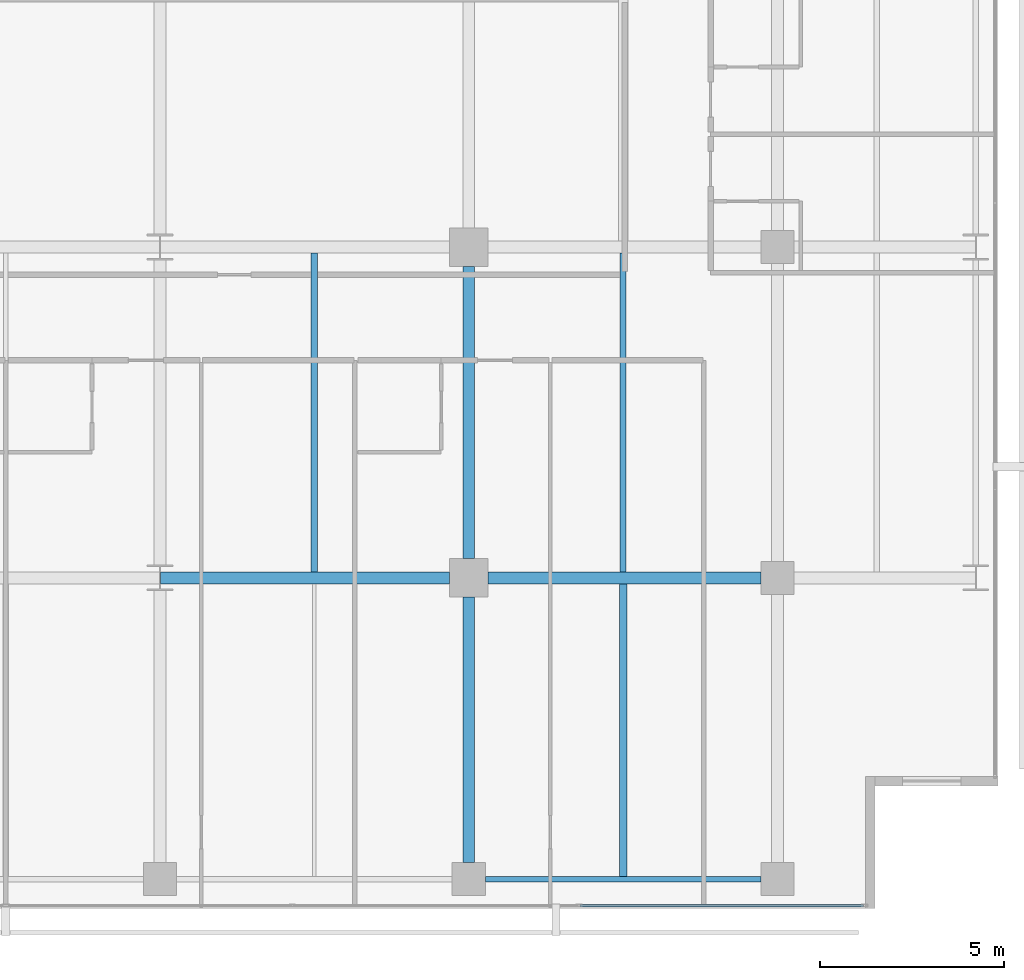
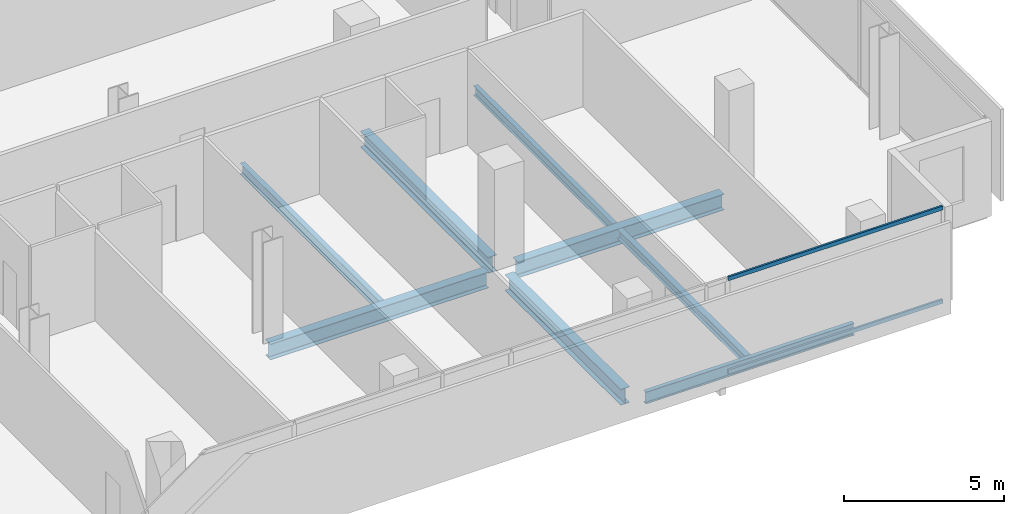
# One storey, part 15 of 40: 8 beams, 2 members, 1 element without a shape of its own.
"""IFC4 building model written with IfcOpenShell, lengths in metres."""

from ifc_helpers import new_model, si_unit, direction, frame, origin, origin_2d, place, context, subcontext, project, spatial, hollow_rectangle, i_section, extrude, material, layer, layer_set, material_profile, profile_set, type_object, element, aggregate, save


model = new_model("IFC4")

# Units and contexts
model_context = context("Model", 3, precision=1e-05, world=origin(), true_north=direction((0.0, 1.0)))
body_context = subcontext(model_context, "Body", "Model", "MODEL_VIEW")
ifc_project = project(units=[si_unit("LENGTHUNIT", "METRE"), si_unit("AREAUNIT", "SQUARE_METRE"), si_unit("VOLUMEUNIT", "CUBIC_METRE"), si_unit("PLANEANGLEUNIT", "RADIAN"), si_unit("MASSUNIT", "GRAM", prefix="KILO")], contexts=[model_context])

# Site, building, storey
site_placement = place(None, origin())
site = spatial("IfcSite", under=ifc_project, at=site_placement, CompositionType="ELEMENT")
building_placement = place(site_placement, origin())
building = spatial("IfcBuilding", under=site, at=building_placement, Name="Maruvema Waterfront Hotel and Observation Tower", CompositionType="ELEMENT")
storey_placement = place(building_placement, frame((0.0, 0.0, 103.949951171875)))
storey = spatial("IfcBuildingStorey", under=building, at=storey_placement, Name="L25", CompositionType="ELEMENT", Elevation=103.949951171875)

# Curtain wall, members
ifc_material_1 = material(Name="Anodised bronze aluminium and solar-control low-E IGU", Category="aluminium")
ifc_layer = layer(ifc_material_1, 0.159912109375, Name="Zone 1 Bronze Inner Thermal Curtain Wall System CW-02")
ifc_layer_set = layer_set([ifc_layer], Name="Anodised bronze aluminium and solar-control low-E IGU")
curtain_wall_type = type_object("IfcCurtainWallType", Name="Zone 1 Bronze Inner Thermal Curtain Wall System CW-02", PredefinedType="USERDEFINED", material=ifc_layer_set)
curtain_wall_placement = place(storey_placement, origin())
curtain_wall = element("IfcCurtainWall", 1, at=curtain_wall_placement, inside=storey, type_object=curtain_wall_type, Name="L25 Curtain Wall CW-L25-S", ObjectType="UNITISED CURTAIN WALL", PredefinedType="USERDEFINED")
ifc_material_2 = material(Name="Anodised architectural bronze aluminium", Category="aluminium")
ifc_material_profile_1 = material_profile(ifc_material_2, hollow_rectangle(XDim=0.070068359375, YDim=0.14990234375, WallThickness=0.00390625, at=origin_2d()), Name="ALU-T70x150")
ifc_profile_set_1 = profile_set([ifc_material_profile_1], Name="Anodised architectural bronze aluminium")
member_type = type_object("IfcMemberType", Name="Curtain Wall Horizontal Transom ALU-T70x150", PredefinedType="USERDEFINED", material=ifc_profile_set_1)
member_1_placement = place(storey_placement, frame((53.429931640625, 0.080078125, 0.030029296875), z_axis=(1.0, 0.0, 0.0), x_axis=(0.0, 1.0, 0.0)))
member_1 = element("IfcMember", 2, at=member_1_placement, type_object=member_type, Name="CW-02 transom 6.1", ObjectType="TRANSOM", PredefinedType="USERDEFINED", context=body_context, shape_type="SweptSolid", body=[
    extrude(hollow_rectangle(XDim=0.070068359375, YDim=0.14990234375, WallThickness=0.00390625, at=origin_2d()), origin(), (0.0, 0.0, 1.0), 7.7099609375),
])
member_2_placement = place(storey_placement, frame((53.429931640625, 0.080078125, 3.580078125), z_axis=(1.0, 0.0, 0.0), x_axis=(0.0, 1.0, 0.0)))
member_2 = element("IfcMember", 3, at=member_2_placement, type_object=member_type, Name="CW-02 transom 6.2", ObjectType="TRANSOM", PredefinedType="USERDEFINED", context=body_context, shape_type="SweptSolid", body=[
    extrude(hollow_rectangle(XDim=0.070068359375, YDim=0.14990234375, WallThickness=0.00390625, at=origin_2d()), origin(), (0.0, 0.0, 1.0), 7.7099609375),
])
aggregate(curtain_wall, [member_1, member_2])

# Beams
ifc_material_3 = material(Name="Steel ASTM A572 Grade 50", Category="steel")
ifc_material_profile_2 = material_profile(ifc_material_3, i_section(OverallWidth=0.153076171875, OverallDepth=0.455078125, WebThickness=0.008056640625, FlangeThickness=0.01318359375, FilletRadius=0.014892578125, at=origin_2d()), Name="W460x60.0")
ifc_profile_set_2 = profile_set([ifc_material_profile_2], Name="Steel ASTM A572 Grade 50")
beam_type_1 = type_object("IfcBeamType", Name="Perimeter Spandrel Beam W460x60.0", PredefinedType="SPANDREL", material=ifc_profile_set_2)
beam_1_placement = place(storey_placement, frame((50.85009765625, 0.800048828125, -0.467529296875), z_axis=(1.0, 0.0, 0.0), x_axis=(0.0, 1.0, 0.0)))
element("IfcBeam", 4, at=beam_1_placement, inside=storey, type_object=beam_type_1, Name="L25 Floor Girder EW-05", PredefinedType="SPANDREL", context=body_context, shape_type="SweptSolid", body=[
    extrude(i_section(OverallWidth=0.153076171875, OverallDepth=0.455078125, WebThickness=0.008056640625, FlangeThickness=0.01318359375, FilletRadius=0.014892578125, at=origin_2d()), origin(), (0.0, 0.0, 1.0), 7.5),
])
ifc_material_4 = material(Name="Steel ASTM A572 Grade 50", Category="steel")
ifc_material_profile_3 = material_profile(ifc_material_4, i_section(OverallWidth=0.323974609375, OverallDepth=0.611083984375, WebThickness=0.0126953125, FlangeThickness=0.01904296875, FilletRadius=0.01806640625, at=origin_2d()), Name="W610x155.0")
ifc_profile_set_3 = profile_set([ifc_material_profile_3], Name="Steel ASTM A572 Grade 50")
beam_type_2 = type_object("IfcBeamType", Name="Primary Floor Girder W610x155.0", PredefinedType="BEAM", material=ifc_profile_set_3)
beam_2_placement = place(storey_placement, frame((42.013916015625, 9.0, -0.54541015625), z_axis=(1.0, 0.0, 0.0), x_axis=(0.0, 1.0, 0.0)))
element("IfcBeam", 5, at=beam_2_placement, inside=storey, type_object=beam_type_2, Name="L25 Floor Girder EW-10", PredefinedType="BEAM", context=body_context, shape_type="SweptSolid", body=[
    extrude(i_section(OverallWidth=0.323974609375, OverallDepth=0.611083984375, WebThickness=0.0126953125, FlangeThickness=0.01904296875, FilletRadius=0.01806640625, at=origin_2d()), origin(), (0.0, 0.0, 1.0), 7.861083984375),
])
beam_3_placement = place(storey_placement, frame((50.925048828125, 9.0, -0.54541015625), z_axis=(1.0, 0.0, 0.0), x_axis=(0.0, 1.0, 0.0)))
element("IfcBeam", 6, at=beam_3_placement, inside=storey, type_object=beam_type_2, Name="L25 Floor Girder EW-11", PredefinedType="BEAM", context=body_context, shape_type="SweptSolid", body=[
    extrude(i_section(OverallWidth=0.323974609375, OverallDepth=0.611083984375, WebThickness=0.0126953125, FlangeThickness=0.01904296875, FilletRadius=0.01806640625, at=origin_2d()), origin(), (0.0, 0.0, 1.0), 7.425048828125),
])
beam_4_placement = place(storey_placement, frame((50.39990234375, 1.25, -0.54541015625), z_axis=(0.0, 1.0, 0.0), x_axis=(-1.0, 0.0, 0.0)))
element("IfcBeam", 7, at=beam_4_placement, inside=storey, type_object=beam_type_2, Name="L25 Floor Girder NS-22", PredefinedType="BEAM", context=body_context, shape_type="SweptSolid", body=[
    extrude(i_section(OverallWidth=0.323974609375, OverallDepth=0.611083984375, WebThickness=0.0126953125, FlangeThickness=0.01904296875, FilletRadius=0.01806640625, at=origin_2d()), origin(), (0.0, 0.0, 1.0), 7.22509765625),
])
beam_5_placement = place(storey_placement, frame((50.39990234375, 9.52490234375, -0.54541015625), z_axis=(0.0, 1.0, 0.0), x_axis=(-1.0, 0.0, 0.0)))
element("IfcBeam", 8, at=beam_5_placement, inside=storey, type_object=beam_type_2, Name="L25 Floor Girder NS-23", PredefinedType="BEAM", context=body_context, shape_type="SweptSolid", body=[
    extrude(i_section(OverallWidth=0.323974609375, OverallDepth=0.611083984375, WebThickness=0.0126953125, FlangeThickness=0.01904296875, FilletRadius=0.01806640625, at=origin_2d()), origin(), (0.0, 0.0, 1.0), 7.9501953125),
])
ifc_material_5 = material(Name="Steel ASTM A572 Grade 50", Category="steel")
ifc_material_profile_4 = material_profile(ifc_material_5, i_section(OverallWidth=0.1708984375, OverallDepth=0.35498046875, WebThickness=0.007080078125, FlangeThickness=0.01171875, FilletRadius=0.014892578125, at=origin_2d()), Name="W360x51.0")
ifc_profile_set_4 = profile_set([ifc_material_profile_4], Name="Steel ASTM A572 Grade 50")
beam_type_3 = type_object("IfcBeamType", Name="Secondary Floor Joist W360x51.0", PredefinedType="JOIST", material=ifc_profile_set_4)
beam_6_placement = place(storey_placement, frame((54.60009765625, 9.162109375, -0.41748046875), z_axis=(0.0, 1.0, 0.0), x_axis=(-1.0, 0.0, 0.0)))
element("IfcBeam", 9, at=beam_6_placement, inside=storey, type_object=beam_type_3, Name="L25 Secondary Floor Joist JS-17", PredefinedType="JOIST", context=body_context, shape_type="SweptSolid", body=[
    extrude(i_section(OverallWidth=0.1708984375, OverallDepth=0.35498046875, WebThickness=0.007080078125, FlangeThickness=0.01171875, FilletRadius=0.014892578125, at=origin_2d()), origin(), (0.0, 0.0, 1.0), 8.67578125),
])
ifc_material_6 = material(Name="Steel ASTM A572 Grade 50", Category="steel")
ifc_material_profile_5 = material_profile(ifc_material_6, i_section(OverallWidth=0.202880859375, OverallDepth=0.346923828125, WebThickness=0.0078125, FlangeThickness=0.013427734375, FilletRadius=0.014892578125, at=origin_2d()), Name="W360x64.0")
ifc_profile_set_5 = profile_set([ifc_material_profile_5], Name="Steel ASTM A572 Grade 50")
beam_type_4 = type_object("IfcBeamType", Name="Secondary Floor Joist W360x64.0", PredefinedType="JOIST", material=ifc_profile_set_5)
beam_7_placement = place(storey_placement, frame((54.60009765625, 0.87646484375, -0.413330078125), z_axis=(0.0, 1.0, 0.0), x_axis=(-1.0, 0.0, 0.0)))
element("IfcBeam", 10, at=beam_7_placement, inside=storey, type_object=beam_type_4, Name="L25 Secondary Floor Joist JS-16", PredefinedType="JOIST", context=body_context, shape_type="SweptSolid", body=[
    extrude(i_section(OverallWidth=0.202880859375, OverallDepth=0.346923828125, WebThickness=0.0078125, FlangeThickness=0.013427734375, FilletRadius=0.014892578125, at=origin_2d()), origin(), (0.0, 0.0, 1.0), 7.96142578125),
])
ifc_material_7 = material(Name="Steel ASTM A572 Grade 50", Category="steel")
ifc_material_profile_6 = material_profile(ifc_material_7, i_section(OverallWidth=0.177001953125, OverallDepth=0.403076171875, WebThickness=0.007568359375, FlangeThickness=0.010986328125, FilletRadius=0.014892578125, at=origin_2d()), Name="W410x53.0")
ifc_profile_set_6 = profile_set([ifc_material_profile_6], Name="Steel ASTM A572 Grade 50")
beam_type_5 = type_object("IfcBeamType", Name="Secondary Floor Joist W410x53.0", PredefinedType="JOIST", material=ifc_profile_set_6)
beam_8_placement = place(storey_placement, frame((46.199951171875, 9.162109375, -0.44140625), z_axis=(0.0, 1.0, 0.0), x_axis=(-1.0, 0.0, 0.0)))
element("IfcBeam", 11, at=beam_8_placement, inside=storey, type_object=beam_type_5, Name="L25 Secondary Floor Joist JS-15", PredefinedType="JOIST", context=body_context, shape_type="SweptSolid", body=[
    extrude(i_section(OverallWidth=0.177001953125, OverallDepth=0.403076171875, WebThickness=0.007568359375, FlangeThickness=0.010986328125, FilletRadius=0.014892578125, at=origin_2d()), origin(), (0.0, 0.0, 1.0), 8.67578125),
])

save(model, "model.ifc")
